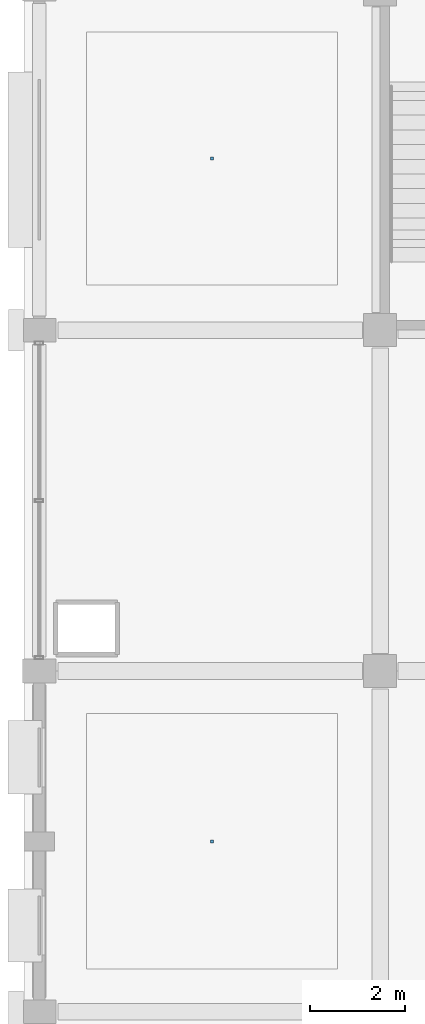
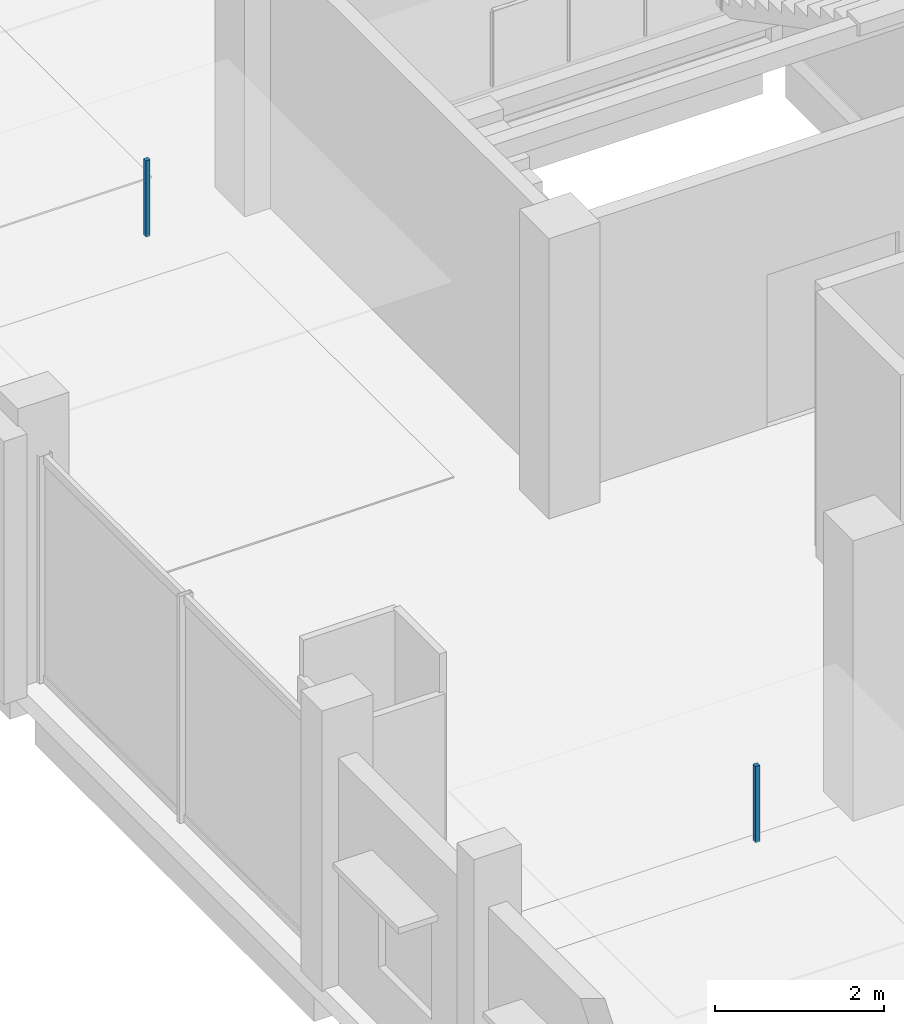
# One storey, part 62 of 77: 2 discrete accessories.
"""IFC4 building model written with IfcOpenShell, lengths in metres."""

from ifc_helpers import new_model, si_unit, direction, frame, origin, origin_2d, place, context, subcontext, project, spatial, rectangle, extrude, material, type_object, element, save


model = new_model("IFC4")

# Units and contexts
model_context = context("Model", 3, precision=1e-05, world=origin(), true_north=direction((0.0, 1.0)))
body_context = subcontext(model_context, "Body", "Model", "MODEL_VIEW")
ifc_project = project(units=[si_unit("LENGTHUNIT", "METRE"), si_unit("AREAUNIT", "SQUARE_METRE"), si_unit("VOLUMEUNIT", "CUBIC_METRE"), si_unit("PLANEANGLEUNIT", "RADIAN"), si_unit("MASSUNIT", "GRAM", prefix="KILO")], contexts=[model_context])

# Site, building, storey
site_placement = place(None, origin())
site = spatial("IfcSite", under=ifc_project, at=site_placement, CompositionType="ELEMENT")
building_placement = place(site_placement, origin())
building = spatial("IfcBuilding", under=site, at=building_placement, Name="Kangsadwip Square Police Headquarters", CompositionType="ELEMENT")
storey_placement = place(building_placement, frame((0.0, 0.0, 17.550048828125)))
storey = spatial("IfcBuildingStorey", under=building, at=storey_placement, Name="L04", CompositionType="ELEMENT", Elevation=17.550048828125)

# Discrete accessories
ifc_material = material(Name="Structural steel IS 2062 E350 (Grade 350, 350 MPa)", Category="steel")
discrete_accessory_type = type_object("IfcDiscreteAccessoryType", Name="VeilOutriggerBracket", PredefinedType="BRACKET", material=ifc_material)
for number, where, z_axis, x_axis, name in (
    (1, (3.64990234375, 61.199951171875, 2.809814453125), (0.0, 0.0, 1.0), (1.0, 0.0, 0.0), "Ceiling Suspension Hanger L04-121"),
    (2, (3.64990234375, 75.625, 2.809814453125), (0.0, 0.0, 1.0), (1.0, 0.0, 0.0), "Ceiling Suspension Hanger L04-122"),
):
    element("IfcDiscreteAccessory", number, at=place(storey_placement, frame(where, z_axis=z_axis, x_axis=x_axis)), inside=storey, type_object=discrete_accessory_type, Name=name, PredefinedType="BRACKET", context=body_context, shape_type="SweptSolid", body=[
        extrude(rectangle(XDim=0.06005859375, YDim=0.06005859375, at=origin_2d()), origin(), (0.0, 0.0, 1.0), 1.10009765625),
    ])

save(model, "model.ifc")
